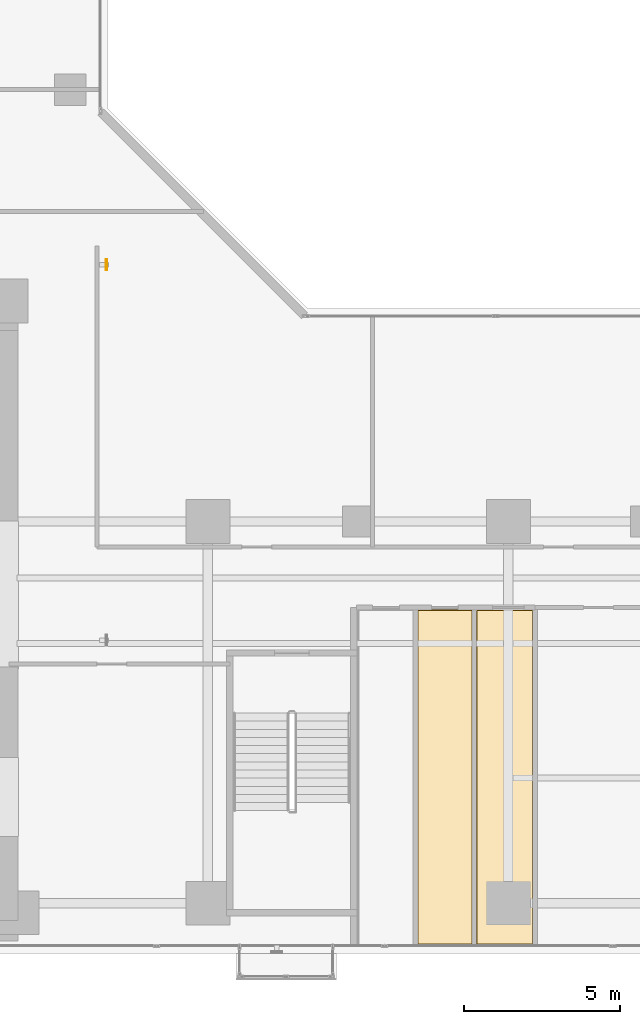
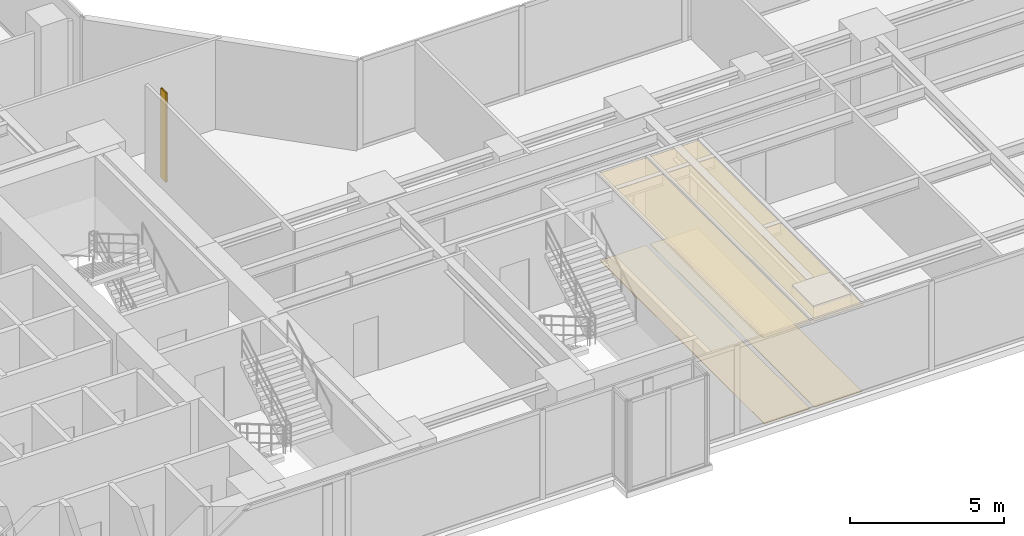
# One storey, part 23 of 24: 4 coverings, 1 shading device.
"""IFC4 building model written with IfcOpenShell, lengths in metres."""

from ifc_helpers import new_model, si_unit, direction, frame, origin, origin_2d, place, context, subcontext, project, spatial, polyline, hollow_rectangle, outline, extrude, material, layer, layer_set, material_profile, profile_set, type_object, element, save


model = new_model("IFC4")

# Units and contexts
model_context = context("Model", 3, precision=1e-05, world=origin(), true_north=direction((0.0, 1.0)))
body_context = subcontext(model_context, "Body", "Model", "MODEL_VIEW")
ifc_project = project(units=[si_unit("LENGTHUNIT", "METRE"), si_unit("AREAUNIT", "SQUARE_METRE"), si_unit("VOLUMEUNIT", "CUBIC_METRE"), si_unit("PLANEANGLEUNIT", "RADIAN"), si_unit("MASSUNIT", "GRAM", prefix="KILO")], contexts=[model_context])

# Site, building, storey
site_placement = place(None, origin())
site = spatial("IfcSite", under=ifc_project, at=site_placement, CompositionType="ELEMENT")
building_placement = place(site_placement, origin())
building = spatial("IfcBuilding", under=site, at=building_placement, Name="Kolvaren Waterfront Exchange", CompositionType="ELEMENT")
storey_placement = place(building_placement, frame((0.0, 0.0, 95.5)))
storey = spatial("IfcBuildingStorey", under=building, at=storey_placement, Name="L24", CompositionType="ELEMENT", Elevation=95.5)

# Coverings
ifc_material_1 = material(Name="Mineral fibre acoustic ceiling tile")
ifc_layer_1 = layer(ifc_material_1, 0.02490234375, Name="Mineral fibre acoustic ceiling tile")
ifc_layer_set_1 = layer_set([ifc_layer_1], Name="Mineral fibre acoustic ceiling tile")
covering_type_1 = type_object("IfcCoveringType", Name="ARC-CEIL-ACOUSTIC-25", PredefinedType="CEILING", material=ifc_layer_set_1)
covering_1_placement = place(storey_placement, frame((0.0, 0.0, 3.425048828125)))
element("IfcCovering", 1, at=covering_1_placement, inside=storey, type_object=covering_type_1, Name="L24 acoustic suspended ceiling 2", PredefinedType="CEILING", context=body_context, shape_type="SweptSolid", body=[
    extrude(outline(polyline([(35.6650390625, 3.864990234375), (35.6650390625, 14.594970703125), (33.875, 14.594970703125), (33.875, 3.864990234375), (35.6650390625, 3.864990234375)])), origin(), (0.0, 0.0, 1.0), 0.02490234375),
])
covering_2_placement = place(storey_placement, frame((0.0, 0.0, 3.425048828125)))
element("IfcCovering", 2, at=covering_2_placement, inside=storey, type_object=covering_type_1, Name="L24 acoustic suspended ceiling 3", PredefinedType="CEILING", context=body_context, shape_type="SweptSolid", body=[
    extrude(outline(polyline([(37.60498046875, 3.864990234375), (37.60498046875, 14.594970703125), (35.7548828125, 14.594970703125), (35.7548828125, 3.864990234375), (37.60498046875, 3.864990234375)])), origin(), (0.0, 0.0, 1.0), 0.02490234375),
])

# Shading device
ifc_material_2 = material(Name="Anodised bronze aluminium 6063-T6", Category="aluminium")
ifc_material_profile = material_profile(ifc_material_2, hollow_rectangle(XDim=0.06005859375, YDim=0.35009765625, WallThickness=0.0048828125, at=origin_2d()), Name="BRZ-FIN-350x60x5")
ifc_profile_set = profile_set([ifc_material_profile], Name="Anodised bronze aluminium 6063-T6")
shading_device_type = type_object("IfcShadingDeviceType", Name="ARC-FIN-350", PredefinedType="USERDEFINED", material=ifc_profile_set)
shading_device_placement = place(storey_placement, frame((23.9599609375, 25.60009765625, 0.0), z_axis=(0.0, 0.0, 1.0), x_axis=(1.0, 0.0, 0.0)))
element("IfcShadingDevice", 3, at=shading_device_placement, inside=storey, type_object=shading_device_type, Name="L24 anodised bronze solar shading fin FIN-L24-E2", ObjectType="SOLAR FIN", PredefinedType="USERDEFINED", context=body_context, shape_type="SweptSolid", body=[
    extrude(hollow_rectangle(XDim=0.06005859375, YDim=0.35009765625, WallThickness=0.0048828125, at=origin_2d()), origin(), (0.0, 0.0, 1.0), 3.5400390625),
])

# Coverings
ifc_material_3 = material(Name="Slip-resistant porcelain tile")
ifc_layer_2 = layer(ifc_material_3, 0.014892578125, Name="Slip-resistant porcelain tile")
ifc_layer_set_2 = layer_set([ifc_layer_2], Name="Slip-resistant porcelain tile")
covering_type_2 = type_object("IfcCoveringType", Name="ARC-FLR-PORC-15", PredefinedType="FLOORING", material=ifc_layer_set_2)
covering_3_placement = place(storey_placement, origin())
element("IfcCovering", 4, at=covering_3_placement, inside=storey, type_object=covering_type_2, Name="L24 floor finish 2", PredefinedType="FLOORING", context=body_context, shape_type="SweptSolid", body=[
    extrude(outline(polyline([(33.909912109375, 14.56005859375), (33.909912109375, 3.89990234375), (35.6298828125, 3.89990234375), (35.6298828125, 14.56005859375), (33.909912109375, 14.56005859375)])), origin(), (0.0, 0.0, 1.0), 0.014892578125),
])
covering_4_placement = place(storey_placement, origin())
element("IfcCovering", 5, at=covering_4_placement, inside=storey, type_object=covering_type_2, Name="L24 floor finish 3", PredefinedType="FLOORING", context=body_context, shape_type="SweptSolid", body=[
    extrude(outline(polyline([(35.7900390625, 14.56005859375), (35.7900390625, 3.89990234375), (37.570068359375, 3.89990234375), (37.570068359375, 14.56005859375), (35.7900390625, 14.56005859375)])), origin(), (0.0, 0.0, 1.0), 0.014892578125),
])

save(model, "model.ifc")
